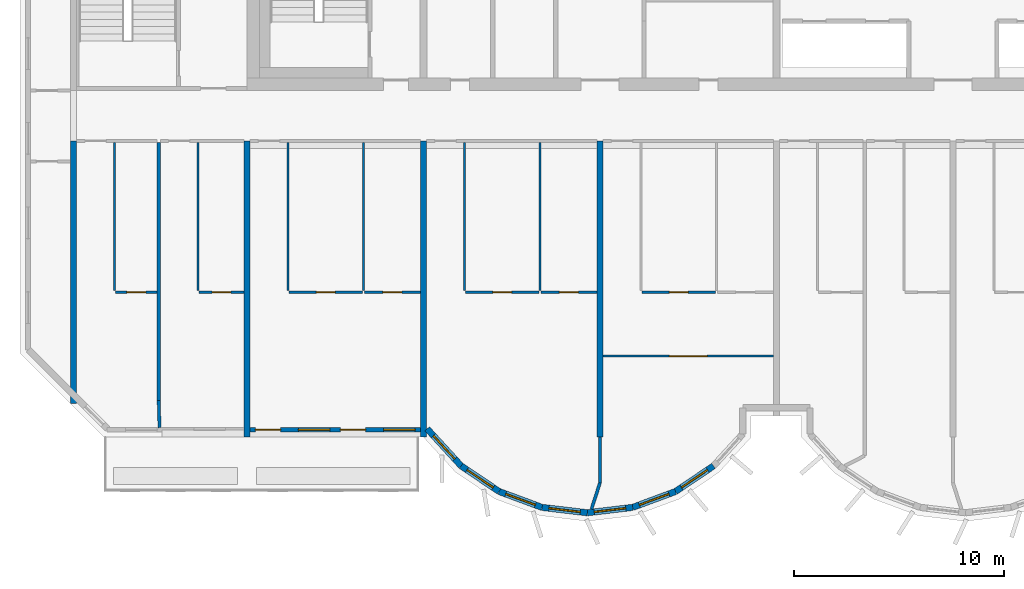
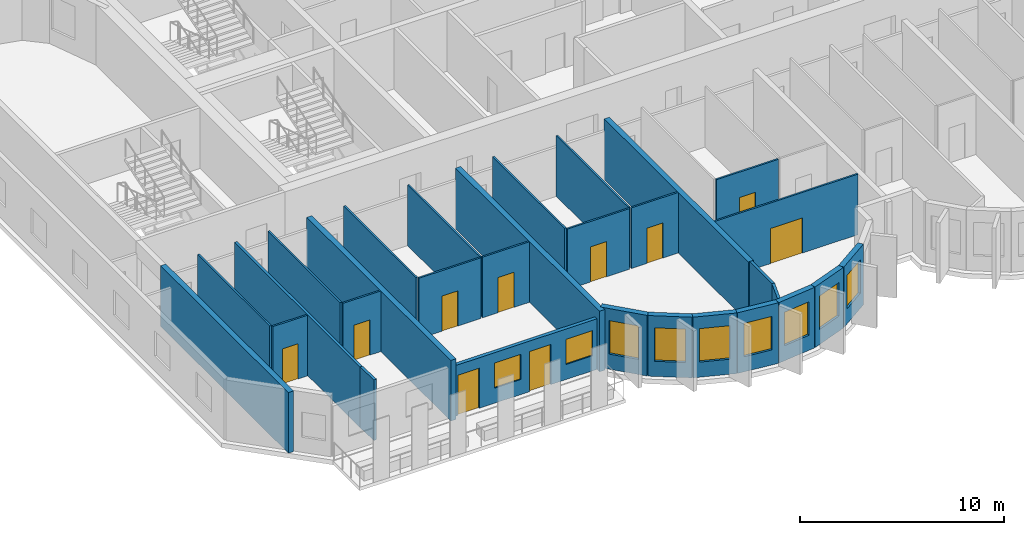
# One storey, part 2 of 12: 30 walls, 10 doors, 9 windows, 19 openings.
"""IFC4 building model written with IfcOpenShell, lengths in metres."""

from ifc_helpers import new_model, si_unit, direction, frame, frame_2d, origin, place, context, subcontext, project, spatial, rectangle, extrude, source, transform, mapped, material, layer, layer_set, type_object, element, fill, save


model = new_model("IFC4")

# Units and contexts
model_context = context("Model", 3, precision=1e-05, world=origin(), true_north=direction((0.0, 1.0)))
body_context = subcontext(model_context, "Body", "Model", "MODEL_VIEW")
ifc_project = project(units=[si_unit("LENGTHUNIT", "METRE"), si_unit("AREAUNIT", "SQUARE_METRE"), si_unit("VOLUMEUNIT", "CUBIC_METRE"), si_unit("PLANEANGLEUNIT", "RADIAN"), si_unit("MASSUNIT", "GRAM", prefix="KILO")], contexts=[model_context])

# Site, building, storey
site_placement = place(None, origin())
site = spatial("IfcSite", under=ifc_project, at=site_placement, CompositionType="ELEMENT")
building_placement = place(site_placement, origin())
building = spatial("IfcBuilding", under=site, at=building_placement, Name="Vanashikhar Sky Hotel", CompositionType="ELEMENT")
storey_placement = place(building_placement, frame((0.0, 0.0, 221.800048828125)))
storey = spatial("IfcBuildingStorey", under=building, at=storey_placement, Name="L53", CompositionType="ELEMENT", Elevation=221.800048828125)

# Walls
ifc_material_1 = material(Name="Concrete M60", Category="concrete")
ifc_layer_1 = layer(ifc_material_1, 0.300048828125)
ifc_layer_set_1 = layer_set([ifc_layer_1], Name="RC shear wall 300 Concrete M60")
wall_type_1 = type_object("IfcWallType", Name="RC shear wall 300 Concrete M60", PredefinedType="SHEAR", material=ifc_layer_set_1)
shared_shape_1 = source(origin(), body_context, "Body", "SweptSolid", [
    extrude(rectangle(XDim=12.5, YDim=0.300048828125, at=frame_2d((6.25, 0.0))), origin(), (0.0, 0.0, 1.0), 3.619873046875),
])
wall_1_placement = place(storey_placement, frame((16.949951171875, 7.10009765625, 0.0), z_axis=(0.0, 0.0, 1.0), x_axis=(0.0, 1.0, 0.0)))
element("IfcWall", 1, at=wall_1_placement, inside=storey, type_object=wall_type_1, Name="CW-L53-XW03-1", PredefinedType="SHEAR", context=body_context, shape_type="MappedRepresentation", body=[
    mapped(shared_shape_1, transform((0.0, 0.0, 0.0), scale=1.0)),
])
shared_shape_2 = source(origin(), body_context, "Body", "SweptSolid", [
    extrude(rectangle(XDim=14.10009765625, YDim=0.300048828125, at=frame_2d((7.050048828125, 0.0))), origin(), (0.0, 0.0, 1.0), 3.619873046875),
])
for number, where, z_axis, x_axis, name in (
    (2, (25.199951171875, 5.5, 0.0), (0.0, 0.0, 1.0), (0.0, 1.0, 0.0), "CW-L53-XW04-1"),
    (3, (33.60009765625, 5.5, 0.0), (0.0, 0.0, 1.0), (0.0, 1.0, 0.0), "CW-L53-XW05-1"),
    (4, (42.0, 5.5, 0.0), (0.0, 0.0, 1.0), (0.0, 1.0, 0.0), "CW-L53-XW06-1"),
):
    element("IfcWall", number, at=place(storey_placement, frame(where, z_axis=z_axis, x_axis=x_axis)), inside=storey, type_object=wall_type_1, Name=name, PredefinedType="SHEAR", context=body_context, shape_type="MappedRepresentation", body=[
        mapped(shared_shape_2, transform((0.0, 0.0, 0.0), scale=1.0)),
    ])

# Wall, openings, windows, doors
ifc_material_2 = material(Name="Concrete M50", Category="concrete")
ifc_layer_2 = layer(ifc_material_2, 0.199951171875)
ifc_layer_set_2 = layer_set([ifc_layer_2], Name="Front window wall 200")
wall_type_2 = type_object("IfcWallType", Name="Front window wall 200", PredefinedType="SOLIDWALL", material=ifc_layer_set_2)
shared_shape_3 = source(origin(), body_context, "Body", "SweptSolid", [
    extrude(rectangle(XDim=8.099853515625, YDim=0.199951171875, at=frame_2d((4.0498046875, 0.0))), origin(), (0.0, 0.0, 1.0), 3.02001953125),
])
wall_2_placement = place(storey_placement, frame((25.35009765625, 5.85009765625, 0.0), z_axis=(0.0, 0.0, 1.0), x_axis=(1.0, 0.0, 0.0)))
wall_2 = element("IfcWall", 5, at=wall_2_placement, inside=storey, type_object=wall_type_2, Name="Front window wall", PredefinedType="SOLIDWALL", context=body_context, shape_type="MappedRepresentation", body=[
    mapped(shared_shape_3, transform((0.0, 0.0, 0.0), scale=1.0)),
])
shared_shape_4 = source(origin(), body_context, "Body", "SweptSolid", [
    extrude(rectangle(XDim=1.199951171875, YDim=2.39990234375, at=frame_2d((0.60009765625, 1.199951171875))), frame((0.0, 0.10986328125, 0.0), z_axis=(0.0, -1.0, 0.0), x_axis=(1.0, 0.0, 0.0)), (0.0, 0.0, 1.0), 0.219970703125),
])
opening_1_placement = place(wall_2_placement, frame((0.25, 0.0, 0.0)))
opening_1 = element("IfcOpeningElement", 6, at=opening_1_placement, cuts=wall_2, Name="Opening BD-01", PredefinedType="OPENING", context=body_context, shape_type="MappedRepresentation", body=[
    mapped(shared_shape_4, transform((0.0, 0.0, 0.0), scale=1.0)),
])
shared_shape_5 = source(origin(), body_context, "Body", "SweptSolid", [
    extrude(rectangle(XDim=1.5, YDim=1.5, at=frame_2d((0.75, 0.75))), frame((0.0, 0.10986328125, 0.0), z_axis=(0.0, -1.0, 0.0), x_axis=(1.0, 0.0, 0.0)), (0.0, 0.0, 1.0), 0.219970703125),
])
opening_2_placement = place(wall_2_placement, frame((2.300048828125, 0.0, 0.89990234375)))
opening_2 = element("IfcOpeningElement", 7, at=opening_2_placement, cuts=wall_2, Name="Opening WN-1", PredefinedType="OPENING", context=body_context, shape_type="MappedRepresentation", body=[
    mapped(shared_shape_5, transform((0.0, 0.0, 0.0), scale=1.0)),
])
opening_3_placement = place(wall_2_placement, frame((4.300048828125, 0.0, 0.0)))
opening_3 = element("IfcOpeningElement", 8, at=opening_3_placement, cuts=wall_2, Name="Opening BD-02", PredefinedType="OPENING", context=body_context, shape_type="MappedRepresentation", body=[
    mapped(shared_shape_4, transform((0.0, 0.0, 0.0), scale=1.0)),
])
opening_4_placement = place(wall_2_placement, frame((6.35009765625, 0.0, 0.89990234375)))
opening_4 = element("IfcOpeningElement", 9, at=opening_4_placement, cuts=wall_2, Name="Opening WN-1", PredefinedType="OPENING", context=body_context, shape_type="MappedRepresentation", body=[
    mapped(shared_shape_5, transform((0.0, 0.0, 0.0), scale=1.0)),
])
ifc_material_3 = material(Name="Glass", Category="glass")
window_type_1 = type_object("IfcWindowType", Name="Window 1500 x 1500", PartitioningType="SINGLE_PANEL", PredefinedType="WINDOW", material=ifc_material_3)
shared_shape_6 = source(origin(), body_context, "Body", "SweptSolid", [
    extrude(rectangle(XDim=1.5, YDim=1.5, at=frame_2d((0.75, 0.75))), frame((0.0, 0.030029296875, 0.0), z_axis=(0.0, -1.0, 0.0), x_axis=(1.0, 0.0, 0.0)), (0.0, 0.0, 1.0), 0.06005859375),
])
window_1_placement = place(opening_2_placement, origin())
window_1 = element("IfcWindow", 10, at=window_1_placement, inside=storey, type_object=window_type_1, Name="Window WN-1", OverallHeight=1.5, OverallWidth=1.5, PartitioningType="SINGLE_PANEL", PredefinedType="WINDOW", context=body_context, shape_type="MappedRepresentation", body=[
    mapped(shared_shape_6, transform((0.0, 0.0, 0.0), scale=1.0)),
])
fill(opening_2, window_1)
window_2_placement = place(opening_4_placement, origin())
window_2 = element("IfcWindow", 11, at=window_2_placement, inside=storey, type_object=window_type_1, Name="Window WN-1", OverallHeight=1.5, OverallWidth=1.5, PartitioningType="SINGLE_PANEL", PredefinedType="WINDOW", context=body_context, shape_type="MappedRepresentation", body=[
    mapped(shared_shape_6, transform((0.0, 0.0, 0.0), scale=1.0)),
])
fill(opening_4, window_2)
ifc_material_4 = material(Name="Aluminium", Category="aluminium")
door_type_1 = type_object("IfcDoorType", Name="Balcony sliding door 1200 x 2400", OperationType="NOTDEFINED", PredefinedType="DOOR", material=ifc_material_4)
shared_shape_7 = source(origin(), body_context, "Body", "SweptSolid", [
    extrude(rectangle(XDim=1.199951171875, YDim=2.39990234375, at=frame_2d((0.60009765625, 1.199951171875))), frame((0.0, 0.02490234375, 0.0), z_axis=(0.0, -1.0, 0.0), x_axis=(1.0, 0.0, 0.0)), (0.0, 0.0, 1.0), 0.050048828125),
])
door_1_placement = place(opening_1_placement, origin())
door_1 = element("IfcDoor", 12, at=door_1_placement, inside=storey, type_object=door_type_1, Name="Balcony sliding door", OperationType="SLIDING_TO_LEFT", OverallHeight=2.39990234375, OverallWidth=1.199951171875, PredefinedType="DOOR", context=body_context, shape_type="MappedRepresentation", body=[
    mapped(shared_shape_7, transform((0.0, 0.0, 0.0), scale=1.0)),
])
fill(opening_1, door_1)
door_2_placement = place(opening_3_placement, origin())
door_2 = element("IfcDoor", 13, at=door_2_placement, inside=storey, type_object=door_type_1, Name="Balcony sliding door", OperationType="SLIDING_TO_RIGHT", OverallHeight=2.39990234375, OverallWidth=1.199951171875, PredefinedType="DOOR", context=body_context, shape_type="MappedRepresentation", body=[
    mapped(shared_shape_7, transform((0.0, 0.0, 0.0), scale=1.0)),
])
fill(opening_3, door_2)

# Wall, opening, window
ifc_layer_3 = layer(ifc_material_2, 0.300048828125)
ifc_layer_set_3 = layer_set([ifc_layer_3], Name="Lobe wall 300")
wall_type_3 = type_object("IfcWallType", Name="Lobe wall 300", PredefinedType="SOLIDWALL", material=ifc_layer_set_3)
shared_shape_8 = source(origin(), body_context, "Body", "SweptSolid", [
    extrude(rectangle(XDim=2.398193359375, YDim=0.300048828125, at=frame_2d((1.19921875, 0.0))), origin(), (0.0, 0.0, 1.0), 3.619873046875),
])
wall_3_placement = place(storey_placement, frame((33.776123046875, 5.89990234375, 0.0), z_axis=(0.0, 0.0, 1.0), x_axis=(0.675374189419, -0.737475222815, 0.0)))
wall_3 = element("IfcWall", 14, at=wall_3_placement, inside=storey, type_object=wall_type_3, Name="Lobe wall", PredefinedType="SOLIDWALL", context=body_context, shape_type="MappedRepresentation", body=[
    mapped(shared_shape_8, transform((0.0, 0.0, 0.0), scale=1.0)),
])
shared_shape_9 = source(origin(), body_context, "Body", "SweptSolid", [
    extrude(rectangle(XDim=1.5, YDim=2.0, at=frame_2d((0.75, 1.0))), frame((0.0, 0.16015625, 0.0), z_axis=(0.0, -1.0, 0.0), x_axis=(1.0, 0.0, 0.0)), (0.0, 0.0, 1.0), 0.320068359375),
])
opening_5_placement = place(wall_3_placement, frame((0.44921875, 0.0, 0.89990234375)))
opening_5 = element("IfcOpeningElement", 15, at=opening_5_placement, cuts=wall_3, Name="Opening WN-2", PredefinedType="OPENING", context=body_context, shape_type="MappedRepresentation", body=[
    mapped(shared_shape_9, transform((0.0, 0.0, 0.0), scale=1.0)),
])
window_type_2 = type_object("IfcWindowType", Name="Lobe window 1500 x 2000", PartitioningType="SINGLE_PANEL", PredefinedType="WINDOW", material=ifc_material_3)
shared_shape_10 = source(origin(), body_context, "Body", "SweptSolid", [
    extrude(rectangle(XDim=1.5, YDim=2.0, at=frame_2d((0.75, 1.0))), frame((0.0, 0.030029296875, 0.0), z_axis=(0.0, -1.0, 0.0), x_axis=(1.0, 0.0, 0.0)), (0.0, 0.0, 1.0), 0.06005859375),
])
window_3_placement = place(opening_5_placement, origin())
window_3 = element("IfcWindow", 16, at=window_3_placement, inside=storey, type_object=window_type_2, Name="Window WN-2", OverallHeight=2.0, OverallWidth=1.5, PartitioningType="SINGLE_PANEL", PredefinedType="WINDOW", context=body_context, shape_type="MappedRepresentation", body=[
    mapped(shared_shape_10, transform((0.0, 0.0, 0.0), scale=1.0)),
])
fill(opening_5, window_3)

shared_shape_11 = source(origin(), body_context, "Body", "SweptSolid", [
    extrude(rectangle(XDim=2.17578125, YDim=0.300048828125, at=frame_2d((1.087890625, 0.0))), origin(), (0.0, 0.0, 1.0), 3.619873046875),
])
wall_4_placement = place(storey_placement, frame((35.395751953125, 4.13134765625, 0.0), z_axis=(0.0, 0.0, 1.0), x_axis=(0.829590746428, -0.558371913192, 0.0)))
wall_4 = element("IfcWall", 17, at=wall_4_placement, inside=storey, type_object=wall_type_3, Name="Lobe wall", PredefinedType="SOLIDWALL", context=body_context, shape_type="MappedRepresentation", body=[
    mapped(shared_shape_11, transform((0.0, 0.0, 0.0), scale=1.0)),
])
opening_6_placement = place(wall_4_placement, frame((0.337890625, 0.0, 0.89990234375)))
opening_6 = element("IfcOpeningElement", 18, at=opening_6_placement, cuts=wall_4, Name="Opening WN-2", PredefinedType="OPENING", context=body_context, shape_type="MappedRepresentation", body=[
    mapped(shared_shape_9, transform((0.0, 0.0, 0.0), scale=1.0)),
])
window_4_placement = place(opening_6_placement, origin())
window_4 = element("IfcWindow", 19, at=window_4_placement, inside=storey, type_object=window_type_2, Name="Window WN-2", OverallHeight=2.0, OverallWidth=1.5, PartitioningType="SINGLE_PANEL", PredefinedType="WINDOW", context=body_context, shape_type="MappedRepresentation", body=[
    mapped(shared_shape_10, transform((0.0, 0.0, 0.0), scale=1.0)),
])
fill(opening_6, window_4)

wall_5_placement = place(storey_placement, frame((37.20068359375, 2.91650390625, 0.0), z_axis=(0.0, 0.0, 1.0), x_axis=(0.93754555999, -0.347862505801, 0.0)))
wall_5 = element("IfcWall", 20, at=wall_5_placement, inside=storey, type_object=wall_type_3, Name="Lobe wall", PredefinedType="SOLIDWALL", context=body_context, shape_type="MappedRepresentation", body=[
    mapped(shared_shape_11, transform((0.0, 0.0, 0.0), scale=1.0)),
])
opening_7_placement = place(wall_5_placement, frame((0.337890625, 0.0, 0.89990234375)))
opening_7 = element("IfcOpeningElement", 21, at=opening_7_placement, cuts=wall_5, Name="Opening WN-2", PredefinedType="OPENING", context=body_context, shape_type="MappedRepresentation", body=[
    mapped(shared_shape_9, transform((0.0, 0.0, 0.0), scale=1.0)),
])
window_5_placement = place(opening_7_placement, origin())
window_5 = element("IfcWindow", 22, at=window_5_placement, inside=storey, type_object=window_type_2, Name="Window WN-2", OverallHeight=2.0, OverallWidth=1.5, PartitioningType="SINGLE_PANEL", PredefinedType="WINDOW", context=body_context, shape_type="MappedRepresentation", body=[
    mapped(shared_shape_10, transform((0.0, 0.0, 0.0), scale=1.0)),
])
fill(opening_7, window_5)

wall_6_placement = place(storey_placement, frame((45.59912109375, 2.91650390625, 0.0), z_axis=(0.0, 0.0, 1.0), x_axis=(0.829625727223, 0.558319937607, 0.0)))
wall_6 = element("IfcWall", 23, at=wall_6_placement, inside=storey, type_object=wall_type_3, Name="Lobe wall", PredefinedType="SOLIDWALL", context=body_context, shape_type="MappedRepresentation", body=[
    mapped(shared_shape_11, transform((0.0, 0.0, 0.0), scale=1.0)),
])
opening_8_placement = place(wall_6_placement, frame((0.337890625, 0.0, 0.89990234375)))
opening_8 = element("IfcOpeningElement", 24, at=opening_8_placement, cuts=wall_6, Name="Opening WN-2", PredefinedType="OPENING", context=body_context, shape_type="MappedRepresentation", body=[
    mapped(shared_shape_9, transform((0.0, 0.0, 0.0), scale=1.0)),
])
window_6_placement = place(opening_8_placement, origin())
window_6 = element("IfcWindow", 25, at=window_6_placement, inside=storey, type_object=window_type_2, Name="Window WN-2", OverallHeight=2.0, OverallWidth=1.5, PartitioningType="SINGLE_PANEL", PredefinedType="WINDOW", context=body_context, shape_type="MappedRepresentation", body=[
    mapped(shared_shape_10, transform((0.0, 0.0, 0.0), scale=1.0)),
])
fill(opening_8, window_6)

shared_shape_12 = source(origin(), body_context, "Body", "SweptSolid", [
    extrude(rectangle(XDim=2.174560546875, YDim=0.300048828125, at=frame_2d((1.08740234375, 0.0))), origin(), (0.0, 0.0, 1.0), 3.619873046875),
])
wall_7_placement = place(storey_placement, frame((39.240478515625, 2.15966796875, 0.0), z_axis=(0.0, 0.0, 1.0), x_axis=(0.993001132889, -0.118104826659, 0.0)))
wall_7 = element("IfcWall", 26, at=wall_7_placement, inside=storey, type_object=wall_type_3, Name="Lobe wall", PredefinedType="SOLIDWALL", context=body_context, shape_type="MappedRepresentation", body=[
    mapped(shared_shape_12, transform((0.0, 0.0, 0.0), scale=1.0)),
])
opening_9_placement = place(wall_7_placement, frame((0.33740234375, 0.0, 0.89990234375)))
opening_9 = element("IfcOpeningElement", 27, at=opening_9_placement, cuts=wall_7, Name="Opening WN-2", PredefinedType="OPENING", context=body_context, shape_type="MappedRepresentation", body=[
    mapped(shared_shape_9, transform((0.0, 0.0, 0.0), scale=1.0)),
])
window_7_placement = place(opening_9_placement, origin())
window_7 = element("IfcWindow", 28, at=window_7_placement, inside=storey, type_object=window_type_2, Name="Window WN-2", OverallHeight=2.0, OverallWidth=1.5, PartitioningType="SINGLE_PANEL", PredefinedType="WINDOW", context=body_context, shape_type="MappedRepresentation", body=[
    mapped(shared_shape_10, transform((0.0, 0.0, 0.0), scale=1.0)),
])
fill(opening_9, window_7)

shared_shape_13 = source(origin(), body_context, "Body", "SweptSolid", [
    extrude(rectangle(XDim=2.1748046875, YDim=0.300048828125, at=frame_2d((1.08740234375, 0.0))), origin(), (0.0, 0.0, 1.0), 3.619873046875),
])
wall_8_placement = place(storey_placement, frame((41.39990234375, 1.90283203125, 0.0), z_axis=(0.0, 0.0, 1.0), x_axis=(0.993002698611, 0.118091661648, 0.0)))
wall_8 = element("IfcWall", 29, at=wall_8_placement, inside=storey, type_object=wall_type_3, Name="Lobe wall", PredefinedType="SOLIDWALL", context=body_context, shape_type="MappedRepresentation", body=[
    mapped(shared_shape_13, transform((0.0, 0.0, 0.0), scale=1.0)),
])
opening_10_placement = place(wall_8_placement, frame((0.33740234375, 0.0, 0.89990234375)))
opening_10 = element("IfcOpeningElement", 30, at=opening_10_placement, cuts=wall_8, Name="Opening WN-2", PredefinedType="OPENING", context=body_context, shape_type="MappedRepresentation", body=[
    mapped(shared_shape_9, transform((0.0, 0.0, 0.0), scale=1.0)),
])
window_8_placement = place(opening_10_placement, origin())
window_8 = element("IfcWindow", 31, at=window_8_placement, inside=storey, type_object=window_type_2, Name="Window WN-2", OverallHeight=2.0, OverallWidth=1.5, PartitioningType="SINGLE_PANEL", PredefinedType="WINDOW", context=body_context, shape_type="MappedRepresentation", body=[
    mapped(shared_shape_10, transform((0.0, 0.0, 0.0), scale=1.0)),
])
fill(opening_10, window_8)

shared_shape_14 = source(origin(), body_context, "Body", "SweptSolid", [
    extrude(rectangle(XDim=2.175537109375, YDim=0.300048828125, at=frame_2d((1.087890625, 0.0))), origin(), (0.0, 0.0, 1.0), 3.619873046875),
])
wall_9_placement = place(storey_placement, frame((43.5595703125, 2.15966796875, 0.0), z_axis=(0.0, 0.0, 1.0), x_axis=(0.937531979054, 0.347899106424, 0.0)))
wall_9 = element("IfcWall", 32, at=wall_9_placement, inside=storey, type_object=wall_type_3, Name="Lobe wall", PredefinedType="SOLIDWALL", context=body_context, shape_type="MappedRepresentation", body=[
    mapped(shared_shape_14, transform((0.0, 0.0, 0.0), scale=1.0)),
])
opening_11_placement = place(wall_9_placement, frame((0.337890625, 0.0, 0.89990234375)))
opening_11 = element("IfcOpeningElement", 33, at=opening_11_placement, cuts=wall_9, Name="Opening WN-2", PredefinedType="OPENING", context=body_context, shape_type="MappedRepresentation", body=[
    mapped(shared_shape_9, transform((0.0, 0.0, 0.0), scale=1.0)),
])
window_9_placement = place(opening_11_placement, origin())
window_9 = element("IfcWindow", 34, at=window_9_placement, inside=storey, type_object=window_type_2, Name="Window WN-2", OverallHeight=2.0, OverallWidth=1.5, PartitioningType="SINGLE_PANEL", PredefinedType="WINDOW", context=body_context, shape_type="MappedRepresentation", body=[
    mapped(shared_shape_10, transform((0.0, 0.0, 0.0), scale=1.0)),
])
fill(opening_11, window_9)

# Walls
ifc_material_5 = material(Name="Gypsum plasterboard partition")
ifc_layer_4 = layer(ifc_material_5, 0.10009765625)
ifc_layer_set_4 = layer_set([ifc_layer_4], Name="Wet room partition 100")
wall_type_4 = type_object("IfcWallType", Name="Wet room partition 100", PredefinedType="PARTITIONING", material=ifc_layer_set_4)
shared_shape_15 = source(origin(), body_context, "Body", "SweptSolid", [
    extrude(rectangle(XDim=7.0498046875, YDim=0.10009765625, at=frame_2d((3.52490234375, 0.0))), origin(), (0.0, 0.0, 1.0), 3.619873046875),
])
for number, where, z_axis, x_axis, name in (
    (35, (18.89990234375, 12.47509765625, 0.0), (0.0, 0.0, 1.0), (0.0, 1.0, 0.0), "W-L53-PW001"),
    (36, (22.875, 12.47509765625, 0.0), (0.0, 0.0, 1.0), (0.0, 1.0, 0.0), "W-L53-PW004"),
    (37, (27.14990234375, 12.47509765625, 0.0), (0.0, 0.0, 1.0), (0.0, 1.0, 0.0), "W-L53-PW008"),
    (38, (30.75, 12.47509765625, 0.0), (0.0, 0.0, 1.0), (0.0, 1.0, 0.0), "W-L53-PW009"),
    (39, (35.550048828125, 12.47509765625, 0.0), (0.0, 0.0, 1.0), (0.0, 1.0, 0.0), "W-L53-PW013"),
    (40, (39.14990234375, 12.47509765625, 0.0), (0.0, 0.0, 1.0), (0.0, 1.0, 0.0), "W-L53-PW014"),
):
    element("IfcWall", number, at=place(storey_placement, frame(where, z_axis=z_axis, x_axis=x_axis)), inside=storey, type_object=wall_type_4, Name=name, PredefinedType="PARTITIONING", context=body_context, shape_type="MappedRepresentation", body=[
        mapped(shared_shape_15, transform((0.0, 0.0, 0.0), scale=1.0)),
    ])

# Wall, opening, door
shared_shape_16 = source(origin(), body_context, "Body", "SweptSolid", [
    extrude(rectangle(XDim=1.97509765625, YDim=0.10009765625, at=frame_2d((0.987548828125, 0.0))), origin(), (0.0, 0.0, 1.0), 3.619873046875),
])
wall_10_placement = place(storey_placement, frame((18.949951171875, 12.39990234375, 0.0), z_axis=(0.0, 0.0, 1.0), x_axis=(1.0, 0.0, 0.0)))
wall_10 = element("IfcWall", 41, at=wall_10_placement, inside=storey, type_object=wall_type_4, Name="W-L53-PW002", PredefinedType="PARTITIONING", context=body_context, shape_type="MappedRepresentation", body=[
    mapped(shared_shape_16, transform((0.0, 0.0, 0.0), scale=1.0)),
])
shared_shape_17 = source(origin(), body_context, "Body", "SweptSolid", [
    extrude(rectangle(XDim=0.89990234375, YDim=2.10009765625, at=frame_2d((0.449951171875, 1.050048828125))), frame((0.0, 0.06005859375, 0.0), z_axis=(0.0, -1.0, 0.0), x_axis=(1.0, 0.0, 0.0)), (0.0, 0.0, 1.0), 0.1201171875),
])
opening_12_placement = place(wall_10_placement, frame((0.5380859375, 0.0, 0.0)))
opening_12 = element("IfcOpeningElement", 42, at=opening_12_placement, cuts=wall_10, Name="Opening D-02", PredefinedType="OPENING", context=body_context, shape_type="MappedRepresentation", body=[
    mapped(shared_shape_17, transform((0.0, 0.0, 0.0), scale=1.0)),
])
ifc_material_6 = material(Name="Timber door", Category="wood")
door_type_2 = type_object("IfcDoorType", Name="Internal door 900", OperationType="NOTDEFINED", PredefinedType="DOOR", material=ifc_material_6)
shared_shape_18 = source(origin(), body_context, "Body", "SweptSolid", [
    extrude(rectangle(XDim=0.89990234375, YDim=2.10009765625, at=frame_2d((0.449951171875, 1.050048828125))), frame((0.0, 0.02490234375, 0.0), z_axis=(0.0, -1.0, 0.0), x_axis=(1.0, 0.0, 0.0)), (0.0, 0.0, 1.0), 0.050048828125),
])
door_3_placement = place(opening_12_placement, origin())
door_3 = element("IfcDoor", 43, at=door_3_placement, inside=storey, type_object=door_type_2, Name="D-L53-001", OperationType="SINGLE_SWING_LEFT", OverallHeight=2.10009765625, OverallWidth=0.89990234375, PredefinedType="DOOR", context=body_context, shape_type="MappedRepresentation", body=[
    mapped(shared_shape_18, transform((0.0, 0.0, 0.0), scale=1.0)),
])
fill(opening_12, door_3)

shared_shape_19 = source(origin(), body_context, "Body", "SweptSolid", [
    extrude(rectangle(XDim=2.125, YDim=0.10009765625, at=frame_2d((1.0625, 0.0))), origin(), (0.0, 0.0, 1.0), 3.619873046875),
])
wall_11_placement = place(storey_placement, frame((22.925048828125, 12.39990234375, 0.0), z_axis=(0.0, 0.0, 1.0), x_axis=(1.0, 0.0, 0.0)))
wall_11 = element("IfcWall", 44, at=wall_11_placement, inside=storey, type_object=wall_type_4, Name="W-L53-PW005", PredefinedType="PARTITIONING", context=body_context, shape_type="MappedRepresentation", body=[
    mapped(shared_shape_19, transform((0.0, 0.0, 0.0), scale=1.0)),
])
opening_13_placement = place(wall_11_placement, frame((0.613037109375, 0.0, 0.0)))
opening_13 = element("IfcOpeningElement", 45, at=opening_13_placement, cuts=wall_11, Name="Opening D-02", PredefinedType="OPENING", context=body_context, shape_type="MappedRepresentation", body=[
    mapped(shared_shape_17, transform((0.0, 0.0, 0.0), scale=1.0)),
])
door_4_placement = place(opening_13_placement, origin())
door_4 = element("IfcDoor", 46, at=door_4_placement, inside=storey, type_object=door_type_2, Name="D-L53-003", OperationType="SINGLE_SWING_LEFT", OverallHeight=2.10009765625, OverallWidth=0.89990234375, PredefinedType="DOOR", context=body_context, shape_type="MappedRepresentation", body=[
    mapped(shared_shape_18, transform((0.0, 0.0, 0.0), scale=1.0)),
])
fill(opening_13, door_4)

# Wall
ifc_layer_5 = layer(ifc_material_5, 0.14990234375)
ifc_layer_set_5 = layer_set([ifc_layer_5], Name="Corridor and demising partition 150")
wall_type_5 = type_object("IfcWallType", Name="Corridor and demising partition 150", PredefinedType="PARTITIONING", material=ifc_layer_set_5)
shared_shape_20 = source(origin(), body_context, "Body", "SweptSolid", [
    extrude(rectangle(XDim=12.27490234375, YDim=0.14990234375, at=frame_2d((6.137451171875, 0.0))), origin(), (0.0, 0.0, 1.0), 3.619873046875),
])
wall_12_placement = place(storey_placement, frame((21.0, 7.25, 0.0), z_axis=(0.0, 0.0, 1.0), x_axis=(0.0, 1.0, 0.0)))
element("IfcWall", 47, at=wall_12_placement, inside=storey, type_object=wall_type_5, Name="W-L53-PW007", PredefinedType="PARTITIONING", context=body_context, shape_type="MappedRepresentation", body=[
    mapped(shared_shape_20, transform((0.0, 0.0, 0.0), scale=1.0)),
])

# Wall, opening, door
shared_shape_21 = source(origin(), body_context, "Body", "SweptSolid", [
    extrude(rectangle(XDim=3.5, YDim=0.10009765625, at=frame_2d((1.75, 0.0))), origin(), (0.0, 0.0, 1.0), 3.619873046875),
])
wall_13_placement = place(storey_placement, frame((27.199951171875, 12.39990234375, 0.0), z_axis=(0.0, 0.0, 1.0), x_axis=(1.0, 0.0, 0.0)))
wall_13 = element("IfcWall", 48, at=wall_13_placement, inside=storey, type_object=wall_type_4, Name="W-L53-PW010", PredefinedType="PARTITIONING", context=body_context, shape_type="MappedRepresentation", body=[
    mapped(shared_shape_21, transform((0.0, 0.0, 0.0), scale=1.0)),
])
opening_14_placement = place(wall_13_placement, frame((1.300048828125, 0.0, 0.0)))
opening_14 = element("IfcOpeningElement", 49, at=opening_14_placement, cuts=wall_13, Name="Opening D-02", PredefinedType="OPENING", context=body_context, shape_type="MappedRepresentation", body=[
    mapped(shared_shape_17, transform((0.0, 0.0, 0.0), scale=1.0)),
])
door_5_placement = place(opening_14_placement, origin())
door_5 = element("IfcDoor", 50, at=door_5_placement, inside=storey, type_object=door_type_2, Name="D-L53-005", OperationType="SINGLE_SWING_LEFT", OverallHeight=2.10009765625, OverallWidth=0.89990234375, PredefinedType="DOOR", context=body_context, shape_type="MappedRepresentation", body=[
    mapped(shared_shape_18, transform((0.0, 0.0, 0.0), scale=1.0)),
])
fill(opening_14, door_5)

wall_14_placement = place(storey_placement, frame((35.60009765625, 12.39990234375, 0.0), z_axis=(0.0, 0.0, 1.0), x_axis=(1.0, 0.0, 0.0)))
wall_14 = element("IfcWall", 51, at=wall_14_placement, inside=storey, type_object=wall_type_4, Name="W-L53-PW015", PredefinedType="PARTITIONING", context=body_context, shape_type="MappedRepresentation", body=[
    mapped(shared_shape_21, transform((0.0, 0.0, 0.0), scale=1.0)),
])
opening_15_placement = place(wall_14_placement, frame((1.300048828125, 0.0, 0.0)))
opening_15 = element("IfcOpeningElement", 52, at=opening_15_placement, cuts=wall_14, Name="Opening D-02", PredefinedType="OPENING", context=body_context, shape_type="MappedRepresentation", body=[
    mapped(shared_shape_17, transform((0.0, 0.0, 0.0), scale=1.0)),
])
door_6_placement = place(opening_15_placement, origin())
door_6 = element("IfcDoor", 53, at=door_6_placement, inside=storey, type_object=door_type_2, Name="D-L53-008", OperationType="SINGLE_SWING_LEFT", OverallHeight=2.10009765625, OverallWidth=0.89990234375, PredefinedType="DOOR", context=body_context, shape_type="MappedRepresentation", body=[
    mapped(shared_shape_18, transform((0.0, 0.0, 0.0), scale=1.0)),
])
fill(opening_15, door_6)

wall_15_placement = place(storey_placement, frame((44.0, 12.39990234375, 0.0), z_axis=(0.0, 0.0, 1.0), x_axis=(1.0, 0.0, 0.0)))
wall_15 = element("IfcWall", 54, at=wall_15_placement, inside=storey, type_object=wall_type_4, Name="W-L53-PW020", PredefinedType="PARTITIONING", context=body_context, shape_type="MappedRepresentation", body=[
    mapped(shared_shape_21, transform((0.0, 0.0, 0.0), scale=1.0)),
])
opening_16_placement = place(wall_15_placement, frame((1.300048828125, 0.0, 0.0)))
opening_16 = element("IfcOpeningElement", 55, at=opening_16_placement, cuts=wall_15, Name="Opening D-02", PredefinedType="OPENING", context=body_context, shape_type="MappedRepresentation", body=[
    mapped(shared_shape_17, transform((0.0, 0.0, 0.0), scale=1.0)),
])
door_7_placement = place(opening_16_placement, origin())
door_7 = element("IfcDoor", 56, at=door_7_placement, inside=storey, type_object=door_type_2, Name="D-L53-011", OperationType="SINGLE_SWING_LEFT", OverallHeight=2.10009765625, OverallWidth=0.89990234375, PredefinedType="DOOR", context=body_context, shape_type="MappedRepresentation", body=[
    mapped(shared_shape_18, transform((0.0, 0.0, 0.0), scale=1.0)),
])
fill(opening_16, door_7)

shared_shape_22 = source(origin(), body_context, "Body", "SweptSolid", [
    extrude(rectangle(XDim=2.64990234375, YDim=0.10009765625, at=frame_2d((1.324951171875, 0.0))), origin(), (0.0, 0.0, 1.0), 3.619873046875),
])
wall_16_placement = place(storey_placement, frame((30.800048828125, 12.39990234375, 0.0), z_axis=(0.0, 0.0, 1.0), x_axis=(1.0, 0.0, 0.0)))
wall_16 = element("IfcWall", 57, at=wall_16_placement, inside=storey, type_object=wall_type_4, Name="W-L53-PW011", PredefinedType="PARTITIONING", context=body_context, shape_type="MappedRepresentation", body=[
    mapped(shared_shape_22, transform((0.0, 0.0, 0.0), scale=1.0)),
])
opening_17_placement = place(wall_16_placement, frame((0.875, 0.0, 0.0)))
opening_17 = element("IfcOpeningElement", 58, at=opening_17_placement, cuts=wall_16, Name="Opening D-02", PredefinedType="OPENING", context=body_context, shape_type="MappedRepresentation", body=[
    mapped(shared_shape_17, transform((0.0, 0.0, 0.0), scale=1.0)),
])
door_8_placement = place(opening_17_placement, origin())
door_8 = element("IfcDoor", 59, at=door_8_placement, inside=storey, type_object=door_type_2, Name="D-L53-006", OperationType="SINGLE_SWING_LEFT", OverallHeight=2.10009765625, OverallWidth=0.89990234375, PredefinedType="DOOR", context=body_context, shape_type="MappedRepresentation", body=[
    mapped(shared_shape_18, transform((0.0, 0.0, 0.0), scale=1.0)),
])
fill(opening_17, door_8)

shared_shape_23 = source(origin(), body_context, "Body", "SweptSolid", [
    extrude(rectangle(XDim=2.650146484375, YDim=0.10009765625, at=frame_2d((1.3251953125, 0.0))), origin(), (0.0, 0.0, 1.0), 3.619873046875),
])
wall_17_placement = place(storey_placement, frame((39.199951171875, 12.39990234375, 0.0), z_axis=(0.0, 0.0, 1.0), x_axis=(1.0, 0.0, 0.0)))
wall_17 = element("IfcWall", 60, at=wall_17_placement, inside=storey, type_object=wall_type_4, Name="W-L53-PW016", PredefinedType="PARTITIONING", context=body_context, shape_type="MappedRepresentation", body=[
    mapped(shared_shape_23, transform((0.0, 0.0, 0.0), scale=1.0)),
])
opening_18_placement = place(wall_17_placement, frame((0.875, 0.0, 0.0)))
opening_18 = element("IfcOpeningElement", 61, at=opening_18_placement, cuts=wall_17, Name="Opening D-02", PredefinedType="OPENING", context=body_context, shape_type="MappedRepresentation", body=[
    mapped(shared_shape_17, transform((0.0, 0.0, 0.0), scale=1.0)),
])
door_9_placement = place(opening_18_placement, origin())
door_9 = element("IfcDoor", 62, at=door_9_placement, inside=storey, type_object=door_type_2, Name="D-L53-009", OperationType="SINGLE_SWING_LEFT", OverallHeight=2.10009765625, OverallWidth=0.89990234375, PredefinedType="DOOR", context=body_context, shape_type="MappedRepresentation", body=[
    mapped(shared_shape_18, transform((0.0, 0.0, 0.0), scale=1.0)),
])
fill(opening_18, door_9)

shared_shape_24 = source(origin(), body_context, "Body", "SweptSolid", [
    extrude(rectangle(XDim=8.10009765625, YDim=0.10009765625, at=frame_2d((4.050048828125, 0.0))), origin(), (0.0, 0.0, 1.0), 3.619873046875),
])
wall_18_placement = place(storey_placement, frame((42.14990234375, 9.362060546875, 0.0), z_axis=(0.0, 0.0, 1.0), x_axis=(1.0, 0.0, 0.0)))
wall_18 = element("IfcWall", 63, at=wall_18_placement, inside=storey, type_object=wall_type_4, Name="W-L53-PW022", PredefinedType="PARTITIONING", context=body_context, shape_type="MappedRepresentation", body=[
    mapped(shared_shape_24, transform((0.0, 0.0, 0.0), scale=1.0)),
])
shared_shape_25 = source(origin(), body_context, "Body", "SweptSolid", [
    extrude(rectangle(XDim=1.800048828125, YDim=2.10009765625, at=frame_2d((0.89990234375, 1.050048828125))), frame((0.0, 0.06005859375, 0.0), z_axis=(0.0, -1.0, 0.0), x_axis=(1.0, 0.0, 0.0)), (0.0, 0.0, 1.0), 0.1201171875),
])
opening_19_placement = place(wall_18_placement, frame((3.14990234375, 0.0, 0.0)))
opening_19 = element("IfcOpeningElement", 64, at=opening_19_placement, cuts=wall_18, Name="Opening D-08", PredefinedType="OPENING", context=body_context, shape_type="MappedRepresentation", body=[
    mapped(shared_shape_25, transform((0.0, 0.0, 0.0), scale=1.0)),
])
door_type_3 = type_object("IfcDoorType", Name="Double leaf door 1800", OperationType="NOTDEFINED", PredefinedType="DOOR", material=ifc_material_6)
shared_shape_26 = source(origin(), body_context, "Body", "SweptSolid", [
    extrude(rectangle(XDim=1.800048828125, YDim=2.10009765625, at=frame_2d((0.89990234375, 1.050048828125))), frame((0.0, 0.02490234375, 0.0), z_axis=(0.0, -1.0, 0.0), x_axis=(1.0, 0.0, 0.0)), (0.0, 0.0, 1.0), 0.050048828125),
])
door_10_placement = place(opening_19_placement, origin())
door_10 = element("IfcDoor", 65, at=door_10_placement, inside=storey, type_object=door_type_3, Name="D-L53-013", OperationType="DOUBLE_DOOR_SINGLE_SWING", OverallHeight=2.10009765625, OverallWidth=1.800048828125, PredefinedType="DOOR", context=body_context, shape_type="MappedRepresentation", body=[
    mapped(shared_shape_26, transform((0.0, 0.0, 0.0), scale=1.0)),
])
fill(opening_19, door_10)

# Walls
shared_shape_27 = source(origin(), body_context, "Body", "SweptSolid", [
    extrude(rectangle(XDim=2.177978515625, YDim=0.14990234375, at=frame_2d((1.0888671875, 0.0))), origin(), (0.0, 0.0, 1.0), 3.619873046875),
])
wall_19_placement = place(storey_placement, frame((42.0, 3.322021484375, 0.0), z_axis=(0.0, 0.0, 1.0), x_axis=(0.0, 1.0, 0.0)))
element("IfcWall", 66, at=wall_19_placement, inside=storey, type_object=wall_type_5, Name="W-L53-PW050", PredefinedType="PARTITIONING", context=body_context, shape_type="MappedRepresentation", body=[
    mapped(shared_shape_27, transform((0.0, 0.0, 0.0), scale=1.0)),
])
shared_shape_28 = source(origin(), body_context, "Body", "SweptSolid", [
    extrude(rectangle(XDim=1.30078125, YDim=0.14990234375, at=frame_2d((0.650390625, 0.0))), origin(), (0.0, 0.0, 1.0), 3.619873046875),
])
wall_20_placement = place(storey_placement, frame((21.041015625, 5.949951171875, 0.0), z_axis=(0.0, 0.0, 1.0), x_axis=(-0.031533606063, 0.999502692187, 0.0)))
element("IfcWall", 67, at=wall_20_placement, inside=storey, type_object=wall_type_5, Name="W-L53-PW007B0", PredefinedType="PARTITIONING", context=body_context, shape_type="MappedRepresentation", body=[
    mapped(shared_shape_28, transform((0.0, 0.0, 0.0), scale=1.0)),
])
shared_shape_29 = source(origin(), body_context, "Body", "SweptSolid", [
    extrude(rectangle(XDim=1.308349609375, YDim=0.14990234375, at=frame_2d((0.654296875, 0.0))), origin(), (0.0, 0.0, 1.0), 3.619873046875),
])
wall_21_placement = place(storey_placement, frame((41.597900390625, 2.076904296875, 0.0), z_axis=(0.0, 0.0, 1.0), x_axis=(0.307313512187, 0.951608325535, 0.0)))
element("IfcWall", 68, at=wall_21_placement, inside=storey, type_object=wall_type_5, Name="W-L53-PW050B0", PredefinedType="PARTITIONING", context=body_context, shape_type="MappedRepresentation", body=[
    mapped(shared_shape_29, transform((0.0, 0.0, 0.0), scale=1.0)),
])

save(model, "model.ifc")
